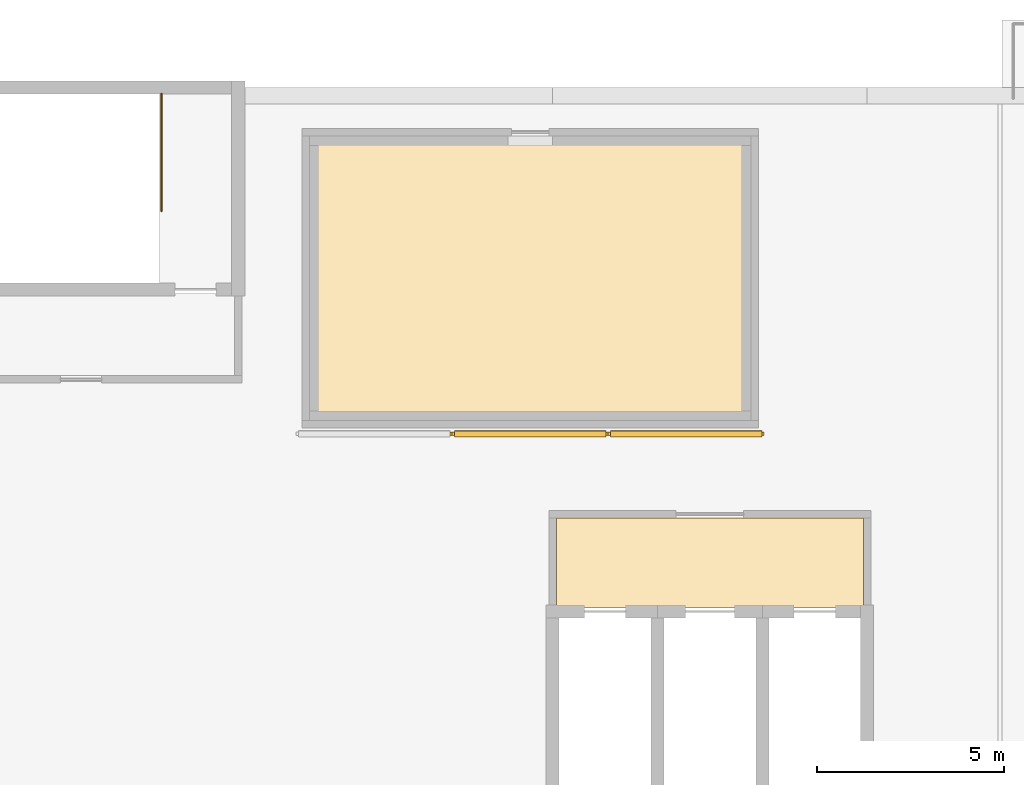
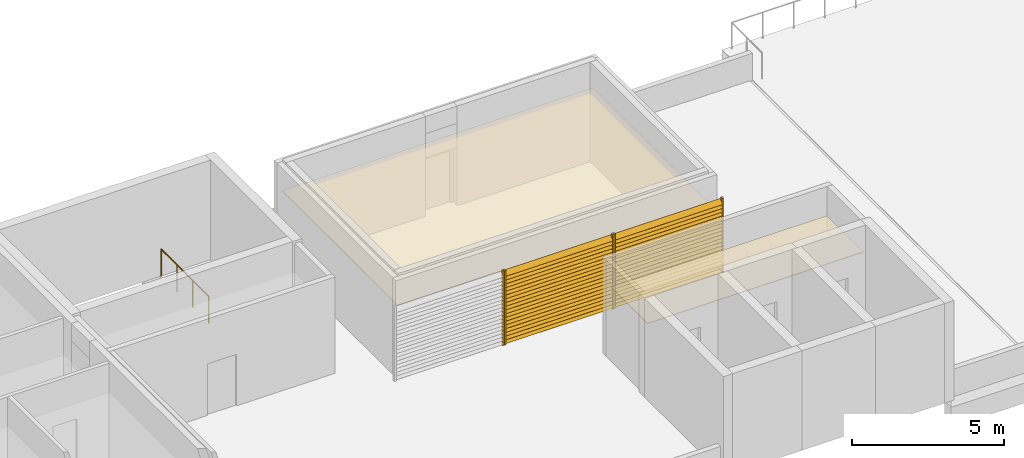
# One storey, part 12 of 13: 43 shading devices, 2 coverings, 1 railing.
"""IFC4 building model written with IfcOpenShell, lengths in metres."""

from ifc_helpers import new_model, si_unit, direction, frame, origin, origin_2d, place, context, subcontext, project, spatial, polyline, rectangle, circle, outline, extrude, material, layer, layer_set, material_profile, profile_set, type_object, element, save


model = new_model("IFC4")

# Units and contexts
model_context = context("Model", 3, precision=1e-05, world=origin(), true_north=direction((0.0, 1.0)))
body_context = subcontext(model_context, "Body", "Model", "MODEL_VIEW")
ifc_project = project(units=[si_unit("LENGTHUNIT", "METRE"), si_unit("AREAUNIT", "SQUARE_METRE"), si_unit("VOLUMEUNIT", "CUBIC_METRE"), si_unit("PLANEANGLEUNIT", "RADIAN"), si_unit("MASSUNIT", "GRAM", prefix="KILO")], contexts=[model_context])

# Site, building, storey
site_placement = place(None, origin())
site = spatial("IfcSite", under=ifc_project, at=site_placement, CompositionType="ELEMENT")
building_placement = place(site_placement, origin())
building = spatial("IfcBuilding", under=site, at=building_placement, Name="Bougainvillea Quay General Hospital", CompositionType="ELEMENT")
storey_placement = place(building_placement, frame((0.0, 0.0, 36.60009765625)))
storey = spatial("IfcBuildingStorey", under=building, at=storey_placement, Name="L08", CompositionType="ELEMENT", Elevation=36.60009765625)

# Shading devices
ifc_material_1 = material(Name="Extruded aluminium louvre frame, powder-coated grey", Category="aluminium")
ifc_material_profile_1 = material_profile(ifc_material_1, rectangle(XDim=0.10009765625, YDim=0.06005859375, at=origin_2d()))
ifc_profile_set_1 = profile_set([ifc_material_profile_1], Name="Extruded aluminium louvre frame, powder-coated grey")
shading_device_type_1 = type_object("IfcShadingDeviceType", Name="Louvre frame post 100x60", PredefinedType="JALOUSIE", material=ifc_profile_set_1)
for number, where, z_axis, x_axis, name in (
    (1, (148.486572265625, 150.35009765625, 0.02978515625), (0.0, 0.0, 1.0), (0.0, 1.0, 0.0), "Louvre post V00.2"),
    (2, (148.546630859375, 150.35009765625, 0.02978515625), (0.0, 0.0, 1.0), (0.0, 1.0, 0.0), "Louvre post V01.1"),
    (3, (152.6533203125, 150.35009765625, 0.02978515625), (0.0, 0.0, 1.0), (0.0, 1.0, 0.0), "Louvre post V01.2"),
    (4, (152.71337890625, 150.35009765625, 0.02978515625), (0.0, 0.0, 1.0), (0.0, 1.0, 0.0), "Louvre post V02.1"),
    (5, (156.820068359375, 150.35009765625, 0.02978515625), (0.0, 0.0, 1.0), (0.0, 1.0, 0.0), "Louvre post V02.2"),
):
    element("IfcShadingDevice", number, at=place(storey_placement, frame(where, z_axis=z_axis, x_axis=x_axis)), inside=storey, type_object=shading_device_type_1, Name=name, PredefinedType="JALOUSIE", context=body_context, shape_type="SweptSolid", body=[
        extrude(rectangle(XDim=0.10009765625, YDim=0.06005859375, at=origin_2d()), origin(), (0.0, 0.0, 1.0), 3.0),
    ])

# Railing
ifc_material_2 = material(Name="Stainless steel 304 balustrade", Category="steel")
railing_type = type_object("IfcRailingType", Name="Stair guard 1100", PredefinedType="GUARDRAIL", material=ifc_material_2)
railing_placement = place(storey_placement, frame((140.75, 159.425048828125, 0.0)))
element("IfcRailing", 6, at=railing_placement, inside=storey, type_object=railing_type, Name="L08 ST-A3 top well guard 1", PredefinedType="GUARDRAIL", context=body_context, shape_type="SweptSolid", body=[
    extrude(circle(Radius=0.02392578125, at=origin_2d()), frame((0.0, 0.0, 1.076171875), z_axis=(0.0, -1.0, 0.0), x_axis=(1.0, 0.0, 0.0)), (0.0, 0.0, 1.0), 3.125),
    extrude(circle(Radius=0.02099609375, at=origin_2d()), origin(), (0.0, 0.0, 1.0), 1.052001953125),
    extrude(circle(Radius=0.02099609375, at=origin_2d()), frame((0.0, -1.041748046875, 0.0)), (0.0, 0.0, 1.0), 1.052001953125),
    extrude(circle(Radius=0.02099609375, at=origin_2d()), frame((0.0, -2.083251953125, 0.0)), (0.0, 0.0, 1.0), 1.052001953125),
    extrude(circle(Radius=0.02099609375, at=origin_2d()), frame((0.0, -3.125, 0.0)), (0.0, 0.0, 1.0), 1.052001953125),
])

# Shading devices
ifc_material_3 = material(Name="Extruded aluminium storm louvre blade, powder-coated grey", Category="aluminium")
ifc_material_profile_2 = material_profile(ifc_material_3, rectangle(XDim=0.219970703125, YDim=0.014892578125, at=origin_2d()))
ifc_profile_set_2 = profile_set([ifc_material_profile_2], Name="Extruded aluminium storm louvre blade, powder-coated grey")
shading_device_type_2 = type_object("IfcShadingDeviceType", Name="Storm louvre blade 220", PredefinedType="JALOUSIE", material=ifc_profile_set_2)
for number, where, z_axis, x_axis, name in (
    (7, (148.57666015625, 150.35009765625, 0.179931640625), (1.0, 0.0, 0.0), (0.0, 0.707106781187, 0.707106781187), "Storm louvre blade V01.1"),
    (8, (148.57666015625, 150.35009765625, 0.329833984375), (1.0, 0.0, 0.0), (0.0, 0.707106781187, 0.707106781187), "Storm louvre blade V01.2"),
    (9, (148.57666015625, 150.35009765625, 0.47998046875), (1.0, 0.0, 0.0), (0.0, 0.707106781187, 0.707106781187), "Storm louvre blade V01.3"),
    (10, (148.57666015625, 150.35009765625, 0.6298828125), (1.0, 0.0, 0.0), (0.0, 0.707106781187, 0.707106781187), "Storm louvre blade V01.4"),
    (11, (148.57666015625, 150.35009765625, 0.77978515625), (1.0, 0.0, 0.0), (0.0, 0.707106781187, 0.707106781187), "Storm louvre blade V01.5"),
    (12, (148.57666015625, 150.35009765625, 0.929931640625), (1.0, 0.0, 0.0), (0.0, 0.707106781187, 0.707106781187), "Storm louvre blade V01.6"),
    (13, (148.57666015625, 150.35009765625, 1.079833984375), (1.0, 0.0, 0.0), (0.0, 0.707106781187, 0.707106781187), "Storm louvre blade V01.7"),
    (14, (148.57666015625, 150.35009765625, 1.22998046875), (1.0, 0.0, 0.0), (0.0, 0.707106781187, 0.707106781187), "Storm louvre blade V01.8"),
    (15, (148.57666015625, 150.35009765625, 1.3798828125), (1.0, 0.0, 0.0), (0.0, 0.707106781187, 0.707106781187), "Storm louvre blade V01.9"),
    (16, (148.57666015625, 150.35009765625, 1.52978515625), (1.0, 0.0, 0.0), (0.0, 0.707106781187, 0.707106781187), "Storm louvre blade V01.10"),
    (17, (148.57666015625, 150.35009765625, 1.679931640625), (1.0, 0.0, 0.0), (0.0, 0.707106781187, 0.707106781187), "Storm louvre blade V01.11"),
    (18, (148.57666015625, 150.35009765625, 1.829833984375), (1.0, 0.0, 0.0), (0.0, 0.707106781187, 0.707106781187), "Storm louvre blade V01.12"),
    (19, (148.57666015625, 150.35009765625, 1.97998046875), (1.0, 0.0, 0.0), (0.0, 0.707106781187, 0.707106781187), "Storm louvre blade V01.13"),
    (20, (148.57666015625, 150.35009765625, 2.1298828125), (1.0, 0.0, 0.0), (0.0, 0.707106781187, 0.707106781187), "Storm louvre blade V01.14"),
    (21, (148.57666015625, 150.35009765625, 2.27978515625), (1.0, 0.0, 0.0), (0.0, 0.707106781187, 0.707106781187), "Storm louvre blade V01.15"),
    (22, (148.57666015625, 150.35009765625, 2.429931640625), (1.0, 0.0, 0.0), (0.0, 0.707106781187, 0.707106781187), "Storm louvre blade V01.16"),
    (23, (148.57666015625, 150.35009765625, 2.579833984375), (1.0, 0.0, 0.0), (0.0, 0.707106781187, 0.707106781187), "Storm louvre blade V01.17"),
    (24, (148.57666015625, 150.35009765625, 2.72998046875), (1.0, 0.0, 0.0), (0.0, 0.707106781187, 0.707106781187), "Storm louvre blade V01.18"),
    (25, (148.57666015625, 150.35009765625, 2.8798828125), (1.0, 0.0, 0.0), (0.0, 0.707106781187, 0.707106781187), "Storm louvre blade V01.19"),
    (26, (152.743408203125, 150.35009765625, 0.179931640625), (1.0, 0.0, 0.0), (0.0, 0.707106781187, 0.707106781187), "Storm louvre blade V02.1"),
    (27, (152.743408203125, 150.35009765625, 0.329833984375), (1.0, 0.0, 0.0), (0.0, 0.707106781187, 0.707106781187), "Storm louvre blade V02.2"),
    (28, (152.743408203125, 150.35009765625, 0.47998046875), (1.0, 0.0, 0.0), (0.0, 0.707106781187, 0.707106781187), "Storm louvre blade V02.3"),
    (29, (152.743408203125, 150.35009765625, 0.6298828125), (1.0, 0.0, 0.0), (0.0, 0.707106781187, 0.707106781187), "Storm louvre blade V02.4"),
    (30, (152.743408203125, 150.35009765625, 0.77978515625), (1.0, 0.0, 0.0), (0.0, 0.707106781187, 0.707106781187), "Storm louvre blade V02.5"),
    (31, (152.743408203125, 150.35009765625, 0.929931640625), (1.0, 0.0, 0.0), (0.0, 0.707106781187, 0.707106781187), "Storm louvre blade V02.6"),
    (32, (152.743408203125, 150.35009765625, 1.079833984375), (1.0, 0.0, 0.0), (0.0, 0.707106781187, 0.707106781187), "Storm louvre blade V02.7"),
    (33, (152.743408203125, 150.35009765625, 1.22998046875), (1.0, 0.0, 0.0), (0.0, 0.707106781187, 0.707106781187), "Storm louvre blade V02.8"),
    (34, (152.743408203125, 150.35009765625, 1.3798828125), (1.0, 0.0, 0.0), (0.0, 0.707106781187, 0.707106781187), "Storm louvre blade V02.9"),
    (35, (152.743408203125, 150.35009765625, 1.52978515625), (1.0, 0.0, 0.0), (0.0, 0.707106781187, 0.707106781187), "Storm louvre blade V02.10"),
    (36, (152.743408203125, 150.35009765625, 1.679931640625), (1.0, 0.0, 0.0), (0.0, 0.707106781187, 0.707106781187), "Storm louvre blade V02.11"),
    (37, (152.743408203125, 150.35009765625, 1.829833984375), (1.0, 0.0, 0.0), (0.0, 0.707106781187, 0.707106781187), "Storm louvre blade V02.12"),
    (38, (152.743408203125, 150.35009765625, 1.97998046875), (1.0, 0.0, 0.0), (0.0, 0.707106781187, 0.707106781187), "Storm louvre blade V02.13"),
    (39, (152.743408203125, 150.35009765625, 2.1298828125), (1.0, 0.0, 0.0), (0.0, 0.707106781187, 0.707106781187), "Storm louvre blade V02.14"),
    (40, (152.743408203125, 150.35009765625, 2.27978515625), (1.0, 0.0, 0.0), (0.0, 0.707106781187, 0.707106781187), "Storm louvre blade V02.15"),
    (41, (152.743408203125, 150.35009765625, 2.429931640625), (1.0, 0.0, 0.0), (0.0, 0.707106781187, 0.707106781187), "Storm louvre blade V02.16"),
    (42, (152.743408203125, 150.35009765625, 2.579833984375), (1.0, 0.0, 0.0), (0.0, 0.707106781187, 0.707106781187), "Storm louvre blade V02.17"),
    (43, (152.743408203125, 150.35009765625, 2.72998046875), (1.0, 0.0, 0.0), (0.0, 0.707106781187, 0.707106781187), "Storm louvre blade V02.18"),
    (44, (152.743408203125, 150.35009765625, 2.8798828125), (1.0, 0.0, 0.0), (0.0, 0.707106781187, 0.707106781187), "Storm louvre blade V02.19"),
):
    element("IfcShadingDevice", number, at=place(storey_placement, frame(where, z_axis=z_axis, x_axis=x_axis)), inside=storey, type_object=shading_device_type_2, Name=name, PredefinedType="JALOUSIE", context=body_context, shape_type="SweptSolid", body=[
        extrude(rectangle(XDim=0.219970703125, YDim=0.014892578125, at=origin_2d()), origin(), (0.0, 0.0, 1.0), 4.046630859375),
    ])

# Coverings
ifc_material_4 = material(Name="Mineral fibre ceiling tile")
ifc_layer = layer(ifc_material_4, 0.030029296875)
ifc_layer_set = layer_set([ifc_layer], Name="Mineral fibre ceiling tile")
covering_type = type_object("IfcCoveringType", Name="Suspended ceiling mineral fibre tile", PredefinedType="CEILING", material=ifc_layer_set)
covering_1_placement = place(storey_placement, frame((0.0, 0.0, 2.699951171875)))
element("IfcCovering", 45, at=covering_1_placement, inside=storey, type_object=covering_type, Name="Ceiling Lift Lobby LB-A2 (Fire-fighting)", PredefinedType="CEILING", context=body_context, shape_type="SweptSolid", body=[
    extrude(outline(polyline([(151.300048828125, 148.10009765625), (151.300048828125, 145.699951171875), (159.5, 145.699951171875), (159.5, 148.10009765625), (151.300048828125, 148.10009765625)])), origin(), (0.0, 0.0, 1.0), 0.030029296875),
])
covering_2_placement = place(storey_placement, frame((0.0, 0.0, 2.699951171875)))
element("IfcCovering", 46, at=covering_2_placement, inside=storey, type_object=covering_type, Name="Ceiling Water Tank and Pump Room", PredefinedType="CEILING", context=body_context, shape_type="SweptSolid", body=[
    extrude(outline(polyline([(156.5, 158.300048828125), (144.699951171875, 158.300048828125), (144.699951171875, 150.699951171875), (156.5, 150.699951171875), (156.5, 158.300048828125)])), origin(), (0.0, 0.0, 1.0), 0.030029296875),
])

save(model, "model.ifc")
